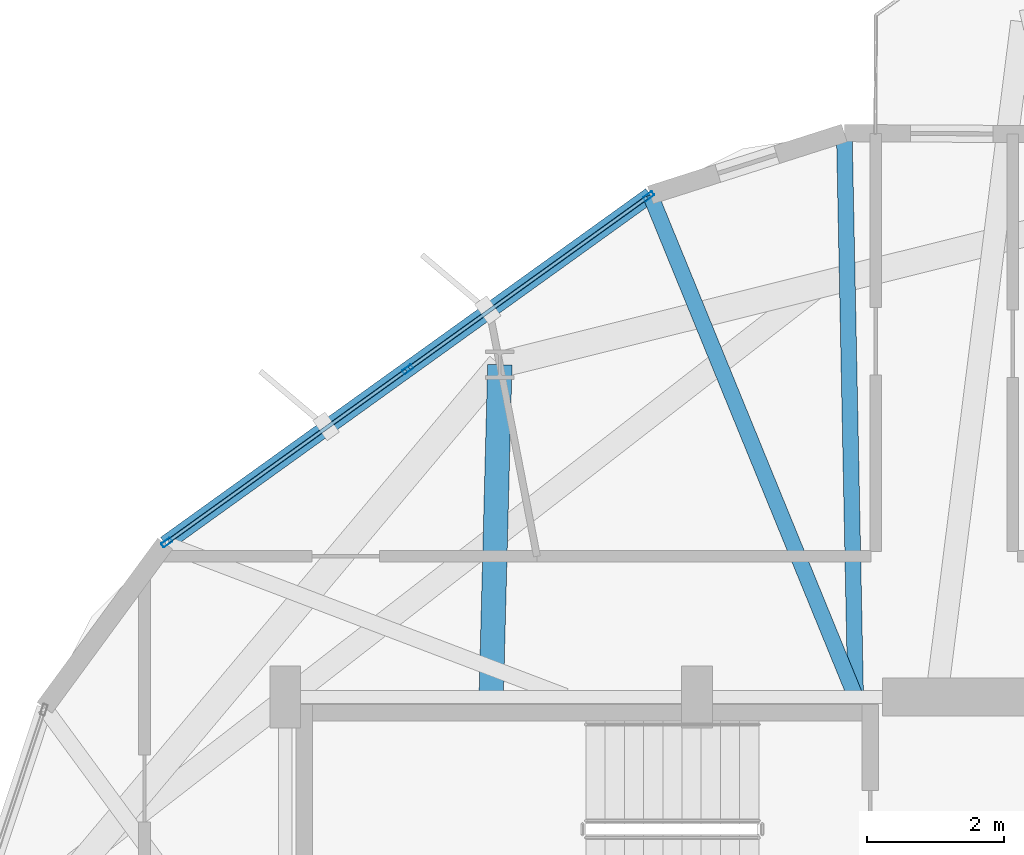
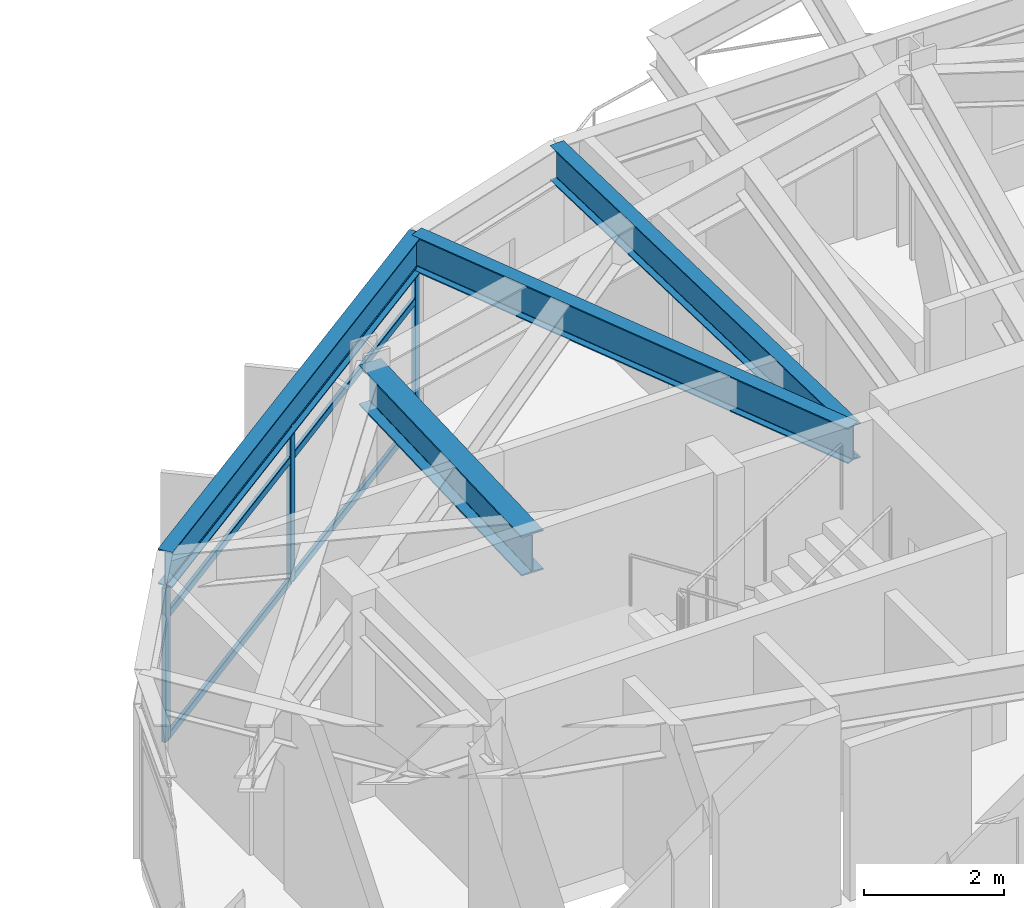
# One storey, part 12 of 24: 9 members, 4 beams, 1 element without a shape of its own.
"""IFC4 building model written with IfcOpenShell, lengths in metres."""

from ifc_helpers import new_model, si_unit, direction, frame, origin, origin_2d, place, context, subcontext, project, spatial, hollow_rectangle, i_section, extrude, material, layer, layer_set, material_profile, profile_set, type_object, element, aggregate, save


model = new_model("IFC4")

# Units and contexts
model_context = context("Model", 3, precision=1e-05, world=origin(), true_north=direction((0.0, 1.0)))
body_context = subcontext(model_context, "Body", "Model", "MODEL_VIEW")
ifc_project = project(units=[si_unit("LENGTHUNIT", "METRE"), si_unit("AREAUNIT", "SQUARE_METRE"), si_unit("VOLUMEUNIT", "CUBIC_METRE"), si_unit("PLANEANGLEUNIT", "RADIAN"), si_unit("MASSUNIT", "GRAM", prefix="KILO")], contexts=[model_context])

# Site, building, storey
site_placement = place(None, origin())
site = spatial("IfcSite", under=ifc_project, at=site_placement, CompositionType="ELEMENT")
building_placement = place(site_placement, origin())
building = spatial("IfcBuilding", under=site, at=building_placement, Name="Soratama Intermodal Tower", CompositionType="ELEMENT")
storey_placement = place(building_placement, frame((0.0, 0.0, 164.199951171875)))
storey = spatial("IfcBuildingStorey", under=building, at=storey_placement, Name="L40", CompositionType="ELEMENT", Elevation=164.199951171875)

# Beams
ifc_material_1 = material(Name="Structural steel ASTM A992 Grade 50", Category="steel")
ifc_material_profile_1 = material_profile(ifc_material_1, i_section(OverallWidth=0.35498046875, OverallDepth=0.695068359375, WebThickness=0.015380859375, FlangeThickness=0.02490234375, FilletRadius=0.01611328125, at=origin_2d()), Name="W27X146")
ifc_profile_set_1 = profile_set([ifc_material_profile_1], Name="Structural steel ASTM A992 Grade 50")
beam_type_1 = type_object("IfcBeamType", Name="BM-RING-W27X146", PredefinedType="BEAM", material=ifc_profile_set_1)
beam_1_placement = place(storey_placement, frame((35.60009765625, 35.0, 2.95263671875), z_axis=(0.026013685955, 0.99966158681, 0.0), x_axis=(-0.99966158681, 0.026013685955, 0.0)))
element("IfcBeam", 1, at=beam_1_placement, inside=storey, type_object=beam_type_1, Name="BM-L40-RAD-04", PredefinedType="BEAM", context=body_context, shape_type="SweptSolid", body=[
    extrude(i_section(OverallWidth=0.35498046875, OverallDepth=0.695068359375, WebThickness=0.015380859375, FlangeThickness=0.02490234375, FilletRadius=0.01611328125, at=origin_2d()), origin(), (0.0, 0.0, 1.0), 4.8427734375),
])
ifc_material_2 = material(Name="Structural steel ASTM A992 Grade 50", Category="steel")
ifc_material_profile_2 = material_profile(ifc_material_2, i_section(OverallWidth=0.22900390625, OverallDepth=0.612060546875, WebThickness=0.011962890625, FlangeThickness=0.01953125, FilletRadius=0.012939453125, at=origin_2d()), Name="W24X84")
ifc_profile_set_2 = profile_set([ifc_material_profile_2], Name="Structural steel ASTM A992 Grade 50")
beam_type_2 = type_object("IfcBeamType", Name="BM-SPN-W24X84", PredefinedType="SPANDREL", material=ifc_profile_set_2)
beam_2_placement = place(storey_placement, frame((37.91796875, 42.31298828125, 2.994140625), z_axis=(-0.812027835231, -0.5836187067, 0.0), x_axis=(0.5836187067, -0.812027835231, 0.0)))
element("IfcBeam", 2, at=beam_2_placement, inside=storey, type_object=beam_type_2, Name="BS-L40-F03", PredefinedType="SPANDREL", context=body_context, shape_type="SweptSolid", body=[
    extrude(i_section(OverallWidth=0.22900390625, OverallDepth=0.612060546875, WebThickness=0.011962890625, FlangeThickness=0.01953125, FilletRadius=0.012939453125, at=origin_2d()), origin(), (0.0, 0.0, 1.0), 8.702880859375),
])
ifc_material_3 = material(Name="Structural steel ASTM A992 Grade 50", Category="steel")
ifc_material_profile_3 = material_profile(ifc_material_3, i_section(OverallWidth=0.22900390625, OverallDepth=0.612060546875, WebThickness=0.011962890625, FlangeThickness=0.01953125, FilletRadius=0.012939453125, at=origin_2d()), Name="W24X84")
ifc_profile_set_3 = profile_set([ifc_material_profile_3], Name="Structural steel ASTM A992 Grade 50")
beam_type_3 = type_object("IfcBeamType", Name="BM-TIE-W24X84", PredefinedType="BEAM", material=ifc_profile_set_3)
beam_3_placement = place(storey_placement, frame((40.907958984375, 35.0400390625, 2.994140625), z_axis=(-0.020064647338, 0.9997986847, 0.0), x_axis=(-0.9997986847, -0.020064647338, 0.0)))
element("IfcBeam", 3, at=beam_3_placement, inside=storey, type_object=beam_type_3, Name="BM-L40-TIE1-02", PredefinedType="BEAM", context=body_context, shape_type="SweptSolid", body=[
    extrude(i_section(OverallWidth=0.22900390625, OverallDepth=0.612060546875, WebThickness=0.011962890625, FlangeThickness=0.01953125, FilletRadius=0.012939453125, at=origin_2d()), origin(), (0.0, 0.0, 1.0), 8.1767578125),
])
beam_4_placement = place(storey_placement, frame((40.89404296875, 35.037109375, 2.994140625), z_axis=(-0.378586891637, 0.925565754272, 0.0), x_axis=(-0.925565754272, -0.378586891637, 0.0)))
element("IfcBeam", 4, at=beam_4_placement, inside=storey, type_object=beam_type_3, Name="BM-L40-TIE0-03", PredefinedType="BEAM", context=body_context, shape_type="SweptSolid", body=[
    extrude(i_section(OverallWidth=0.22900390625, OverallDepth=0.612060546875, WebThickness=0.011962890625, FlangeThickness=0.01953125, FilletRadius=0.012939453125, at=origin_2d()), origin(), (0.0, 0.0, 1.0), 7.861083984375),
])

# Curtain wall, members
ifc_material_4 = material(Name="Double-glazed aluminium curtain wall", Category="aluminium")
ifc_layer = layer(ifc_material_4, 0.159912109375)
ifc_layer_set = layer_set([ifc_layer], Name="Double-glazed aluminium curtain wall")
curtain_wall_type = type_object("IfcCurtainWallType", Name="CW-SYS-4", PredefinedType="NOTDEFINED", material=ifc_layer_set)
curtain_wall_placement = place(storey_placement, origin())
curtain_wall = element("IfcCurtainWall", 5, at=curtain_wall_placement, inside=storey, type_object=curtain_wall_type, Name="L40 Faceted Curtain Wall F03", PredefinedType="NOTDEFINED")
ifc_material_5 = material(Name="Anodised aluminium AA 6063-T6", Category="aluminium")
ifc_material_profile_4 = material_profile(ifc_material_5, hollow_rectangle(XDim=0.070068359375, YDim=0.159912109375, WallThickness=0.0048828125, InnerFilletRadius=0.0048828125, OuterFilletRadius=0.010009765625, at=origin_2d()), Name="CWM160X70X5")
ifc_profile_set_4 = profile_set([ifc_material_profile_4], Name="Anodised aluminium AA 6063-T6")
member_type_1 = type_object("IfcMemberType", Name="MT-CWM-4", PredefinedType="MULLION", material=ifc_profile_set_4)
member_1_placement = place(storey_placement, frame((37.8935546875, 42.295166015625, 0.0), z_axis=(0.0, 0.0, 1.0), x_axis=(0.583543467681, -0.812081905553, 0.0)))
member_1 = element("IfcMember", 6, at=member_1_placement, type_object=member_type_1, Name="CW-4 mullion 1", PredefinedType="MULLION", context=body_context, shape_type="SweptSolid", body=[
    extrude(hollow_rectangle(XDim=0.070068359375, YDim=0.159912109375, WallThickness=0.0048828125, InnerFilletRadius=0.0048828125, OuterFilletRadius=0.010009765625, at=origin_2d()), origin(), (0.0, 0.0, 1.0), 2.678955078125),
])
member_2_placement = place(storey_placement, frame((34.384033203125, 39.7734375, 0.0), z_axis=(0.0, 0.0, 1.0), x_axis=(0.583543467681, -0.812081905553, 0.0)))
member_2 = element("IfcMember", 7, at=member_2_placement, type_object=member_type_1, Name="CW-4 mullion 2", PredefinedType="MULLION", context=body_context, shape_type="SweptSolid", body=[
    extrude(hollow_rectangle(XDim=0.070068359375, YDim=0.159912109375, WallThickness=0.0048828125, InnerFilletRadius=0.0048828125, OuterFilletRadius=0.010009765625, at=origin_2d()), origin(), (0.0, 0.0, 1.0), 2.678955078125),
])
member_3_placement = place(storey_placement, frame((30.874755859375, 37.251708984375, 0.0), z_axis=(0.0, 0.0, 1.0), x_axis=(0.583543467681, -0.812081905553, 0.0)))
member_3 = element("IfcMember", 8, at=member_3_placement, type_object=member_type_1, Name="CW-4 mullion 3", PredefinedType="MULLION", context=body_context, shape_type="SweptSolid", body=[
    extrude(hollow_rectangle(XDim=0.070068359375, YDim=0.159912109375, WallThickness=0.0048828125, InnerFilletRadius=0.0048828125, OuterFilletRadius=0.010009765625, at=origin_2d()), origin(), (0.0, 0.0, 1.0), 2.678955078125),
])
ifc_material_6 = material(Name="Anodised aluminium AA 6063-T6", Category="aluminium")
ifc_material_profile_5 = material_profile(ifc_material_6, hollow_rectangle(XDim=0.06005859375, YDim=0.1298828125, WallThickness=0.0048828125, InnerFilletRadius=0.0048828125, OuterFilletRadius=0.010009765625, at=origin_2d()), Name="CWT130X60X5")
ifc_profile_set_5 = profile_set([ifc_material_profile_5], Name="Anodised aluminium AA 6063-T6")
member_type_2 = type_object("IfcMemberType", Name="TT-CWT-2", PredefinedType="USERDEFINED", material=ifc_profile_set_5)
member_4_placement = place(storey_placement, frame((37.869140625, 42.277587890625, 0.030029296875), z_axis=(-0.81210445302, -0.583512088466, 0.0), x_axis=(0.583512088466, -0.81210445302, 0.0)))
member_4 = element("IfcMember", 9, at=member_4_placement, type_object=member_type_2, Name="CW-4 transom 1.1", ObjectType="TRANSOM", PredefinedType="USERDEFINED", context=body_context, shape_type="SweptSolid", body=[
    extrude(hollow_rectangle(XDim=0.06005859375, YDim=0.1298828125, WallThickness=0.0048828125, InnerFilletRadius=0.0048828125, OuterFilletRadius=0.010009765625, at=origin_2d()), origin(), (0.0, 0.0, 1.0), 4.261474609375),
])
member_5_placement = place(storey_placement, frame((37.869140625, 42.277587890625, 2.150146484375), z_axis=(-0.81210445302, -0.583512088466, 0.0), x_axis=(0.583512088466, -0.81210445302, 0.0)))
member_5 = element("IfcMember", 10, at=member_5_placement, type_object=member_type_2, Name="CW-4 transom 1.2", ObjectType="TRANSOM", PredefinedType="USERDEFINED", context=body_context, shape_type="SweptSolid", body=[
    extrude(hollow_rectangle(XDim=0.06005859375, YDim=0.1298828125, WallThickness=0.0048828125, InnerFilletRadius=0.0048828125, OuterFilletRadius=0.010009765625, at=origin_2d()), origin(), (0.0, 0.0, 1.0), 4.261474609375),
])
member_6_placement = place(storey_placement, frame((37.869140625, 42.277587890625, 2.649169921875), z_axis=(-0.81210445302, -0.583512088466, 0.0), x_axis=(0.583512088466, -0.81210445302, 0.0)))
member_6 = element("IfcMember", 11, at=member_6_placement, type_object=member_type_2, Name="CW-4 transom 1.3", ObjectType="TRANSOM", PredefinedType="USERDEFINED", context=body_context, shape_type="SweptSolid", body=[
    extrude(hollow_rectangle(XDim=0.06005859375, YDim=0.1298828125, WallThickness=0.0048828125, InnerFilletRadius=0.0048828125, OuterFilletRadius=0.010009765625, at=origin_2d()), origin(), (0.0, 0.0, 1.0), 4.261474609375),
])
member_7_placement = place(storey_placement, frame((34.35986328125, 39.756103515625, 0.030029296875), z_axis=(-0.812077304252, -0.583549870978, 0.0), x_axis=(0.583549870978, -0.812077304252, 0.0)))
member_7 = element("IfcMember", 12, at=member_7_placement, type_object=member_type_2, Name="CW-4 transom 2.1", ObjectType="TRANSOM", PredefinedType="USERDEFINED", context=body_context, shape_type="SweptSolid", body=[
    extrude(hollow_rectangle(XDim=0.06005859375, YDim=0.1298828125, WallThickness=0.0048828125, InnerFilletRadius=0.0048828125, OuterFilletRadius=0.010009765625, at=origin_2d()), origin(), (0.0, 0.0, 1.0), 4.261474609375),
])
member_8_placement = place(storey_placement, frame((34.35986328125, 39.756103515625, 2.150146484375), z_axis=(-0.812077304252, -0.583549870978, 0.0), x_axis=(0.583549870978, -0.812077304252, 0.0)))
member_8 = element("IfcMember", 13, at=member_8_placement, type_object=member_type_2, Name="CW-4 transom 2.2", ObjectType="TRANSOM", PredefinedType="USERDEFINED", context=body_context, shape_type="SweptSolid", body=[
    extrude(hollow_rectangle(XDim=0.06005859375, YDim=0.1298828125, WallThickness=0.0048828125, InnerFilletRadius=0.0048828125, OuterFilletRadius=0.010009765625, at=origin_2d()), origin(), (0.0, 0.0, 1.0), 4.261474609375),
])
member_9_placement = place(storey_placement, frame((34.35986328125, 39.756103515625, 2.649169921875), z_axis=(-0.812077304252, -0.583549870978, 0.0), x_axis=(0.583549870978, -0.812077304252, 0.0)))
member_9 = element("IfcMember", 14, at=member_9_placement, type_object=member_type_2, Name="CW-4 transom 2.3", ObjectType="TRANSOM", PredefinedType="USERDEFINED", context=body_context, shape_type="SweptSolid", body=[
    extrude(hollow_rectangle(XDim=0.06005859375, YDim=0.1298828125, WallThickness=0.0048828125, InnerFilletRadius=0.0048828125, OuterFilletRadius=0.010009765625, at=origin_2d()), origin(), (0.0, 0.0, 1.0), 4.261474609375),
])
aggregate(curtain_wall, [member_1, member_2, member_3, member_4, member_5, member_6, member_7, member_8, member_9])

save(model, "model.ifc")
